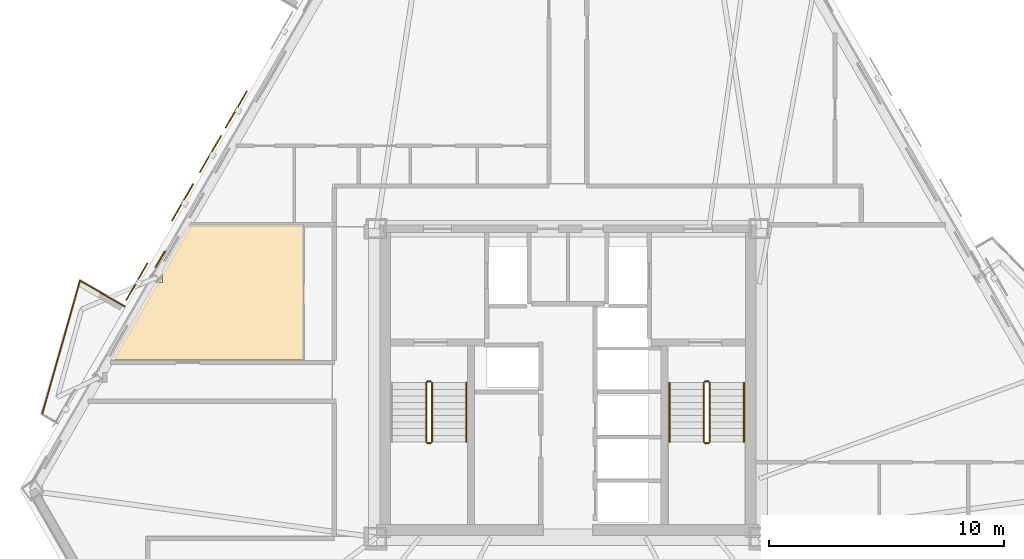
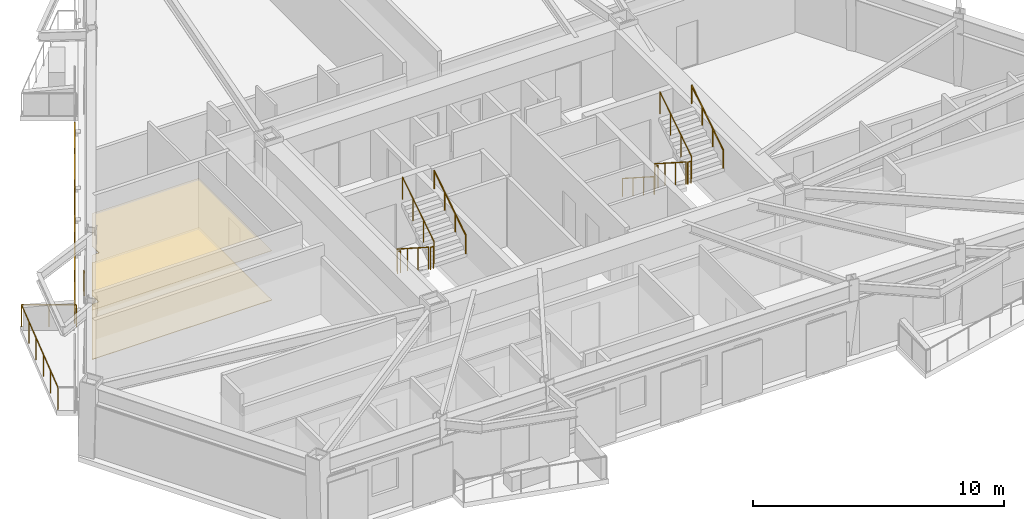
# One storey, part 8 of 9: 13 railings, 4 shading devices, 3 coverings.
"""IFC4 building model written with IfcOpenShell, lengths in metres."""

from ifc_helpers import new_model, si_unit, direction, frame, origin, origin_2d, place, context, subcontext, project, spatial, polyline, rectangle, circle, outline, extrude, material, layer, layer_set, type_object, element, save


model = new_model("IFC4")

# Units and contexts
model_context = context("Model", 3, precision=1e-05, world=origin(), true_north=direction((0.0, 1.0)))
body_context = subcontext(model_context, "Body", "Model", "MODEL_VIEW")
ifc_project = project(units=[si_unit("LENGTHUNIT", "METRE"), si_unit("AREAUNIT", "SQUARE_METRE"), si_unit("VOLUMEUNIT", "CUBIC_METRE"), si_unit("PLANEANGLEUNIT", "RADIAN"), si_unit("MASSUNIT", "GRAM", prefix="KILO")], contexts=[model_context])

# Site, building, storey
site_placement = place(None, origin())
site = spatial("IfcSite", under=ifc_project, at=site_placement, CompositionType="ELEMENT")
building_placement = place(site_placement, origin())
building = spatial("IfcBuilding", under=site, at=building_placement, Name="Oramaril Tower", CompositionType="ELEMENT")
storey_placement = place(building_placement, frame((0.0, 0.0, 126.60009765625)))
storey = spatial("IfcBuildingStorey", under=building, at=storey_placement, Name="L33", CompositionType="ELEMENT", Elevation=126.60009765625)

# Coverings
ifc_material_1 = material(Name="Mineral Fibre Acoustic Ceiling")
ifc_layer_1 = layer(ifc_material_1, 0.02001953125)
ifc_layer_set_1 = layer_set([ifc_layer_1], Name="CVT-CEIL")
covering_type_1 = type_object("IfcCoveringType", Name="CVT-CEIL", PredefinedType="CEILING", material=ifc_layer_set_1)
covering_1_placement = place(storey_placement, frame((0.0, 0.0, 2.39990234375)))
element("IfcCovering", 1, at=covering_1_placement, inside=storey, type_object=covering_type_1, Name="L33 Acoustic Suspended Ceiling 16", PredefinedType="CEILING", context=body_context, shape_type="SweptSolid", body=[
    extrude(outline(polyline([(20.233154296875, 21.86376953125), (20.233154296875, 22.363037109375), (20.2001953125, 22.363037109375), (21.354248046875, 24.362060546875), (26.2646484375, 24.362060546875), (26.2646484375, 18.550048828125), (17.998779296875, 18.550048828125), (19.911865234375, 21.86376953125), (20.233154296875, 21.86376953125)])), origin(), (0.0, 0.0, 1.0), 0.02001953125),
])
ifc_material_2 = material(Name="Warm Cream Limestone", Category="masonry")
ifc_layer_2 = layer(ifc_material_2, 0.050048828125)
ifc_layer_set_2 = layer_set([ifc_layer_2], Name="CVT-CLD")
covering_type_2 = type_object("IfcCoveringType", Name="CVT-CLD", PredefinedType="CLADDING", material=ifc_layer_set_2)
covering_2_placement = place(storey_placement, frame((20.130126953125, 22.84375, 0.0400390625), z_axis=(0.0, 0.0, 1.0), x_axis=(-0.4999984885, -0.866026276448, 0.0)))
element("IfcCovering", 2, at=covering_2_placement, inside=storey, type_object=covering_type_2, Name="L33 Warm Cream Limestone Spandrel Cladding", PredefinedType="CLADDING", context=body_context, shape_type="SweptSolid", body=[
    extrude(rectangle(XDim=0.800048828125, YDim=0.050048828125, at=origin_2d()), origin(), (0.0, 0.0, 1.0), 0.679931640625),
])
ifc_material_3 = material(Name="Honed Quartzite Stone Flooring", Category="masonry")
ifc_layer_3 = layer(ifc_material_3, 0.02490234375)
ifc_layer_set_3 = layer_set([ifc_layer_3], Name="CVT-FLR")
covering_type_3 = type_object("IfcCoveringType", Name="CVT-FLR", PredefinedType="FLOORING", material=ifc_layer_set_3)
covering_3_placement = place(storey_placement, origin())
element("IfcCovering", 3, at=covering_3_placement, inside=storey, type_object=covering_type_3, Name="L33 Honed Stone Floor Finish 16", PredefinedType="FLOORING", context=body_context, shape_type="SweptSolid", body=[
    extrude(outline(polyline([(20.233154296875, 21.86376953125), (20.233154296875, 22.363037109375), (20.2001953125, 22.363037109375), (21.354248046875, 24.362060546875), (26.2646484375, 24.362060546875), (26.2646484375, 18.550048828125), (17.998779296875, 18.550048828125), (19.911865234375, 21.86376953125), (20.233154296875, 21.86376953125)])), origin(), (0.0, 0.0, 1.0), 0.02490234375),
])

# Railings
ifc_material_4 = material(Name="Stainless Steel 316L", Category="steel")
railing_type_1 = type_object("IfcRailingType", Name="RLT-GRD", PredefinedType="GUARDRAIL", material=ifc_material_4)
railing_1_placement = place(storey_placement, frame((15.10400390625, 16.25244140625, 0.0)))
element("IfcRailing", 4, at=railing_1_placement, inside=storey, type_object=railing_type_1, Name="L33 Balcony Guardrail L33-BAL-NW2.2", PredefinedType="GUARDRAIL", context=body_context, shape_type="SweptSolid", body=[
    extrude(circle(Radius=0.02392578125, at=origin_2d()), frame((0.0, 0.0, 1.076171875), z_axis=(0.272287109361, 0.962216051662, 0.0), x_axis=(-0.962216051662, 0.272287109361, 0.0)), (0.0, 0.0, 1.0), 5.91064453125),
    extrude(circle(Radius=0.02099609375, at=origin_2d()), origin(), (0.0, 0.0, 1.0), 1.052001953125),
    extrude(circle(Radius=0.02099609375, at=origin_2d()), frame((0.32177734375, 1.137451171875, 0.0)), (0.0, 0.0, 1.0), 1.052001953125),
    extrude(circle(Radius=0.02099609375, at=origin_2d()), frame((0.643798828125, 2.27490234375, 0.0)), (0.0, 0.0, 1.0), 1.052001953125),
    extrude(circle(Radius=0.02099609375, at=origin_2d()), frame((0.965576171875, 3.412353515625, 0.0)), (0.0, 0.0, 1.0), 1.052001953125),
    extrude(circle(Radius=0.02099609375, at=origin_2d()), frame((1.28759765625, 4.5498046875, 0.0)), (0.0, 0.0, 1.0), 1.052001953125),
    extrude(circle(Radius=0.02099609375, at=origin_2d()), frame((1.609375, 5.687255859375, 0.0)), (0.0, 0.0, 1.0), 1.052001953125),
])
railing_2_placement = place(storey_placement, frame((16.71337890625, 21.939697265625, 0.0)))
element("IfcRailing", 5, at=railing_2_placement, inside=storey, type_object=railing_type_1, Name="L33 Balcony Guardrail L33-BAL-NW2.3", PredefinedType="GUARDRAIL", context=body_context, shape_type="SweptSolid", body=[
    extrude(circle(Radius=0.02392578125, at=origin_2d()), frame((0.0, 0.0, 1.076171875), z_axis=(0.865972267571, -0.50009202333, 0.0), x_axis=(0.50009202333, 0.865972267571, 0.0)), (0.0, 0.0, 1.0), 2.19189453125),
    extrude(circle(Radius=0.02099609375, at=origin_2d()), origin(), (0.0, 0.0, 1.0), 1.052001953125),
    extrude(circle(Radius=0.02099609375, at=origin_2d()), frame((0.94921875, -0.548095703125, 0.0)), (0.0, 0.0, 1.0), 1.052001953125),
    extrude(circle(Radius=0.02099609375, at=origin_2d()), frame((1.898193359375, -1.09619140625, 0.0)), (0.0, 0.0, 1.0), 1.052001953125),
])
railing_3_placement = place(storey_placement, frame((31.4599609375, 17.590087890625, 0.179931640625)))
element("IfcRailing", 6, at=railing_3_placement, inside=storey, type_object=railing_type_1, Name="L33 ST-1 stair guard 1", PredefinedType="GUARDRAIL", context=body_context, shape_type="SweptSolid", body=[
    extrude(circle(Radius=0.02392578125, at=origin_2d()), frame((0.0, 0.0, 1.076171875), z_axis=(0.0, -0.841199657755, 0.540724639528), x_axis=(1.0, 0.0, 0.0)), (0.0, 0.0, 1.0), 2.995849609375),
    extrude(circle(Radius=0.02099609375, at=origin_2d()), origin(), (0.0, 0.0, 1.0), 1.052001953125),
    extrude(circle(Radius=0.02099609375, at=origin_2d()), frame((0.0, -0.840087890625, 0.5400390625)), (0.0, 0.0, 1.0), 1.052001953125),
    extrude(circle(Radius=0.02099609375, at=origin_2d()), frame((0.0, -1.679931640625, 1.079833984375)), (0.0, 0.0, 1.0), 1.052001953125),
    extrude(circle(Radius=0.02099609375, at=origin_2d()), frame((0.0, -2.52001953125, 1.619873046875)), (0.0, 0.0, 1.0), 1.052001953125),
])
railing_4_placement = place(storey_placement, frame((31.510009765625, 15.02001953125, 1.7998046875)))
element("IfcRailing", 7, at=railing_4_placement, inside=storey, type_object=railing_type_1, Name="L33 ST-1 stair guard 2", PredefinedType="GUARDRAIL", context=body_context, shape_type="SweptSolid", body=[
    extrude(circle(Radius=0.02392578125, at=origin_2d()), frame((0.0, 0.0, 1.076171875), z_axis=(1.0, 0.0, 0.0), x_axis=(0.0, 1.0, 0.0)), (0.0, 0.0, 1.0), 0.14990234375),
    extrude(circle(Radius=0.02099609375, at=origin_2d()), origin(), (0.0, 0.0, 1.0), 1.052001953125),
    extrude(circle(Radius=0.02099609375, at=origin_2d()), frame((0.14990234375, 0.0, 0.0)), (0.0, 0.0, 1.0), 1.052001953125),
])
railing_5_placement = place(storey_placement, frame((31.7099609375, 15.070068359375, 1.97998046875)))
element("IfcRailing", 8, at=railing_5_placement, inside=storey, type_object=railing_type_1, Name="L33 ST-1 stair guard 3", PredefinedType="GUARDRAIL", context=body_context, shape_type="SweptSolid", body=[
    extrude(circle(Radius=0.02392578125, at=origin_2d()), frame((0.0, 0.0, 1.076171875), z_axis=(0.0, 0.841199657755, 0.540724639528), x_axis=(-1.0, 0.0, 0.0)), (0.0, 0.0, 1.0), 2.995849609375),
    extrude(circle(Radius=0.02099609375, at=origin_2d()), origin(), (0.0, 0.0, 1.0), 1.052001953125),
    extrude(circle(Radius=0.02099609375, at=origin_2d()), frame((0.0, 0.840087890625, 0.5400390625)), (0.0, 0.0, 1.0), 1.052001953125),
    extrude(circle(Radius=0.02099609375, at=origin_2d()), frame((0.0, 1.679931640625, 1.079833984375)), (0.0, 0.0, 1.0), 1.052001953125),
    extrude(circle(Radius=0.02099609375, at=origin_2d()), frame((0.0, 2.52001953125, 1.619873046875)), (0.0, 0.0, 1.0), 1.052001953125),
])
railing_6_placement = place(storey_placement, frame((31.510009765625, 17.639892578125, 0.0)))
element("IfcRailing", 9, at=railing_6_placement, inside=storey, type_object=railing_type_1, Name="L33 ST-1 stair guard 4", PredefinedType="GUARDRAIL", context=body_context, shape_type="SweptSolid", body=[
    extrude(circle(Radius=0.02392578125, at=origin_2d()), frame((0.0, 0.0, 1.076171875), z_axis=(1.0, 0.0, 0.0), x_axis=(0.0, 1.0, 0.0)), (0.0, 0.0, 1.0), 0.14990234375),
    extrude(circle(Radius=0.02099609375, at=origin_2d()), origin(), (0.0, 0.0, 1.0), 1.052001953125),
    extrude(circle(Radius=0.02099609375, at=origin_2d()), frame((0.14990234375, 0.0, 0.0)), (0.0, 0.0, 1.0), 1.052001953125),
])
railing_7_placement = place(storey_placement, frame((43.2900390625, 17.590087890625, 0.179931640625)))
element("IfcRailing", 10, at=railing_7_placement, inside=storey, type_object=railing_type_1, Name="L33 ST-2 stair guard 1", PredefinedType="GUARDRAIL", context=body_context, shape_type="SweptSolid", body=[
    extrude(circle(Radius=0.02392578125, at=origin_2d()), frame((0.0, 0.0, 1.076171875), z_axis=(0.0, -0.841199657755, 0.540724639528), x_axis=(1.0, 0.0, 0.0)), (0.0, 0.0, 1.0), 2.995849609375),
    extrude(circle(Radius=0.02099609375, at=origin_2d()), origin(), (0.0, 0.0, 1.0), 1.052001953125),
    extrude(circle(Radius=0.02099609375, at=origin_2d()), frame((0.0, -0.840087890625, 0.5400390625)), (0.0, 0.0, 1.0), 1.052001953125),
    extrude(circle(Radius=0.02099609375, at=origin_2d()), frame((0.0, -1.679931640625, 1.079833984375)), (0.0, 0.0, 1.0), 1.052001953125),
    extrude(circle(Radius=0.02099609375, at=origin_2d()), frame((0.0, -2.52001953125, 1.619873046875)), (0.0, 0.0, 1.0), 1.052001953125),
])
railing_8_placement = place(storey_placement, frame((43.340087890625, 15.02001953125, 1.7998046875)))
element("IfcRailing", 11, at=railing_8_placement, inside=storey, type_object=railing_type_1, Name="L33 ST-2 stair guard 2", PredefinedType="GUARDRAIL", context=body_context, shape_type="SweptSolid", body=[
    extrude(circle(Radius=0.02392578125, at=origin_2d()), frame((0.0, 0.0, 1.076171875), z_axis=(1.0, 0.0, 0.0), x_axis=(0.0, 1.0, 0.0)), (0.0, 0.0, 1.0), 0.14990234375),
    extrude(circle(Radius=0.02099609375, at=origin_2d()), origin(), (0.0, 0.0, 1.0), 1.052001953125),
    extrude(circle(Radius=0.02099609375, at=origin_2d()), frame((0.14990234375, 0.0, 0.0)), (0.0, 0.0, 1.0), 1.052001953125),
])
railing_9_placement = place(storey_placement, frame((43.5400390625, 15.070068359375, 1.97998046875)))
element("IfcRailing", 12, at=railing_9_placement, inside=storey, type_object=railing_type_1, Name="L33 ST-2 stair guard 3", PredefinedType="GUARDRAIL", context=body_context, shape_type="SweptSolid", body=[
    extrude(circle(Radius=0.02392578125, at=origin_2d()), frame((0.0, 0.0, 1.076171875), z_axis=(0.0, 0.841199657755, 0.540724639528), x_axis=(-1.0, 0.0, 0.0)), (0.0, 0.0, 1.0), 2.995849609375),
    extrude(circle(Radius=0.02099609375, at=origin_2d()), origin(), (0.0, 0.0, 1.0), 1.052001953125),
    extrude(circle(Radius=0.02099609375, at=origin_2d()), frame((0.0, 0.840087890625, 0.5400390625)), (0.0, 0.0, 1.0), 1.052001953125),
    extrude(circle(Radius=0.02099609375, at=origin_2d()), frame((0.0, 1.679931640625, 1.079833984375)), (0.0, 0.0, 1.0), 1.052001953125),
    extrude(circle(Radius=0.02099609375, at=origin_2d()), frame((0.0, 2.52001953125, 1.619873046875)), (0.0, 0.0, 1.0), 1.052001953125),
])
railing_10_placement = place(storey_placement, frame((43.340087890625, 17.639892578125, 0.0)))
element("IfcRailing", 13, at=railing_10_placement, inside=storey, type_object=railing_type_1, Name="L33 ST-2 stair guard 4", PredefinedType="GUARDRAIL", context=body_context, shape_type="SweptSolid", body=[
    extrude(circle(Radius=0.02392578125, at=origin_2d()), frame((0.0, 0.0, 1.076171875), z_axis=(1.0, 0.0, 0.0), x_axis=(0.0, 1.0, 0.0)), (0.0, 0.0, 1.0), 0.14990234375),
    extrude(circle(Radius=0.02099609375, at=origin_2d()), origin(), (0.0, 0.0, 1.0), 1.052001953125),
    extrude(circle(Radius=0.02099609375, at=origin_2d()), frame((0.14990234375, 0.0, 0.0)), (0.0, 0.0, 1.0), 1.052001953125),
])
ifc_material_5 = material(Name="Stainless Steel 316L", Category="steel")
railing_type_2 = type_object("IfcRailingType", Name="RLT-HND", PredefinedType="HANDRAIL", material=ifc_material_5)
railing_11_placement = place(storey_placement, frame((33.169921875, 15.070068359375, 1.97998046875)))
element("IfcRailing", 14, at=railing_11_placement, inside=storey, type_object=railing_type_2, Name="L33 ST-1 stair handrail 2", PredefinedType="HANDRAIL", context=body_context, shape_type="SweptSolid", body=[
    extrude(circle(Radius=0.02392578125, at=origin_2d()), frame((0.0, 0.0, 0.8759765625), z_axis=(0.0, 0.841199657755, 0.540724639528), x_axis=(-1.0, 0.0, 0.0)), (0.0, 0.0, 1.0), 2.995849609375),
    extrude(circle(Radius=0.02099609375, at=origin_2d()), origin(), (0.0, 0.0, 1.0), 0.851806640625),
    extrude(circle(Radius=0.02099609375, at=origin_2d()), frame((0.0, 0.840087890625, 0.5400390625)), (0.0, 0.0, 1.0), 0.851806640625),
    extrude(circle(Radius=0.02099609375, at=origin_2d()), frame((0.0, 1.679931640625, 1.079833984375)), (0.0, 0.0, 1.0), 0.851806640625),
    extrude(circle(Radius=0.02099609375, at=origin_2d()), frame((0.0, 2.52001953125, 1.619873046875)), (0.0, 0.0, 1.0), 0.851806640625),
])
railing_12_placement = place(storey_placement, frame((41.830078125, 17.590087890625, 0.179931640625)))
element("IfcRailing", 15, at=railing_12_placement, inside=storey, type_object=railing_type_2, Name="L33 ST-2 stair handrail 1", PredefinedType="HANDRAIL", context=body_context, shape_type="SweptSolid", body=[
    extrude(circle(Radius=0.02392578125, at=origin_2d()), frame((0.0, 0.0, 0.8759765625), z_axis=(0.0, -0.841199657755, 0.540724639528), x_axis=(1.0, 0.0, 0.0)), (0.0, 0.0, 1.0), 2.995849609375),
    extrude(circle(Radius=0.02099609375, at=origin_2d()), origin(), (0.0, 0.0, 1.0), 0.851806640625),
    extrude(circle(Radius=0.02099609375, at=origin_2d()), frame((0.0, -0.840087890625, 0.5400390625)), (0.0, 0.0, 1.0), 0.851806640625),
    extrude(circle(Radius=0.02099609375, at=origin_2d()), frame((0.0, -1.679931640625, 1.079833984375)), (0.0, 0.0, 1.0), 0.851806640625),
    extrude(circle(Radius=0.02099609375, at=origin_2d()), frame((0.0, -2.52001953125, 1.619873046875)), (0.0, 0.0, 1.0), 0.851806640625),
])
railing_13_placement = place(storey_placement, frame((45.0, 15.070068359375, 1.97998046875)))
element("IfcRailing", 16, at=railing_13_placement, inside=storey, type_object=railing_type_2, Name="L33 ST-2 stair handrail 2", PredefinedType="HANDRAIL", context=body_context, shape_type="SweptSolid", body=[
    extrude(circle(Radius=0.02392578125, at=origin_2d()), frame((0.0, 0.0, 0.8759765625), z_axis=(0.0, 0.841199657755, 0.540724639528), x_axis=(-1.0, 0.0, 0.0)), (0.0, 0.0, 1.0), 2.995849609375),
    extrude(circle(Radius=0.02099609375, at=origin_2d()), origin(), (0.0, 0.0, 1.0), 0.851806640625),
    extrude(circle(Radius=0.02099609375, at=origin_2d()), frame((0.0, 0.840087890625, 0.5400390625)), (0.0, 0.0, 1.0), 0.851806640625),
    extrude(circle(Radius=0.02099609375, at=origin_2d()), frame((0.0, 1.679931640625, 1.079833984375)), (0.0, 0.0, 1.0), 0.851806640625),
    extrude(circle(Radius=0.02099609375, at=origin_2d()), frame((0.0, 2.52001953125, 1.619873046875)), (0.0, 0.0, 1.0), 0.851806640625),
])

# Shading devices
for number, where, z_axis, x_axis, name in (
    (17, (21.0849609375, 25.271484375, -0.02001953125), (0.0, 0.0, 1.0), (-0.4999984885, -0.866026276448, 0.0), "L33 Perforated Ceramic Solar Screen"),
    (18, (19.135009765625, 21.89404296875, -0.02001953125), (0.0, 0.0, 1.0), (-0.4999984885, -0.866026276448, 0.0), "L33 Perforated Ceramic Solar Screen"),
    (19, (23.36962890625, 29.228759765625, -0.02001953125), (0.0, 0.0, 1.0), (-0.4999984885, -0.866026276448, 0.0), "L33 Perforated Ceramic Solar Screen"),
    (20, (22.276611328125, 27.335693359375, -0.02001953125), (0.0, 0.0, 1.0), (-0.4999984885, -0.866026276448, 0.0), "L33 Perforated Ceramic Solar Screen"),
):
    element("IfcShadingDevice", number, at=place(storey_placement, frame(where, z_axis=z_axis, x_axis=x_axis)), inside=storey, Name=name, ObjectType="SCREEN", PredefinedType="USERDEFINED", context=body_context, shape_type="SweptSolid", body=[
        extrude(rectangle(XDim=1.8330078125, YDim=0.050048828125, at=origin_2d()), origin(), (0.0, 0.0, 1.0), 2.577880859375),
    ])

save(model, "model.ifc")
